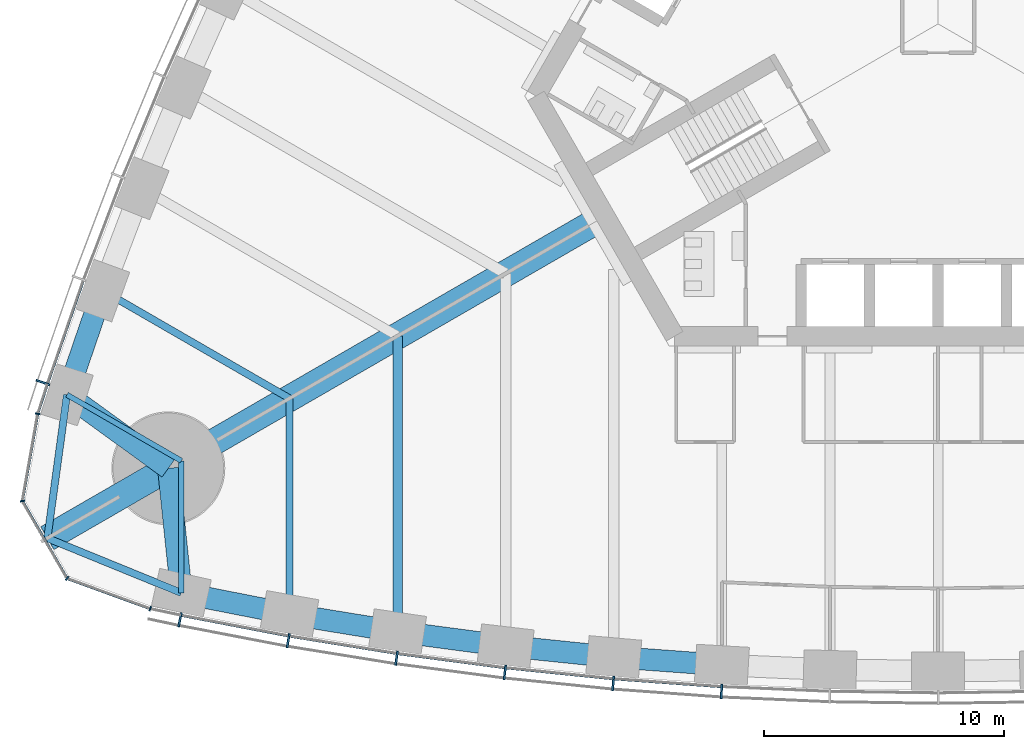
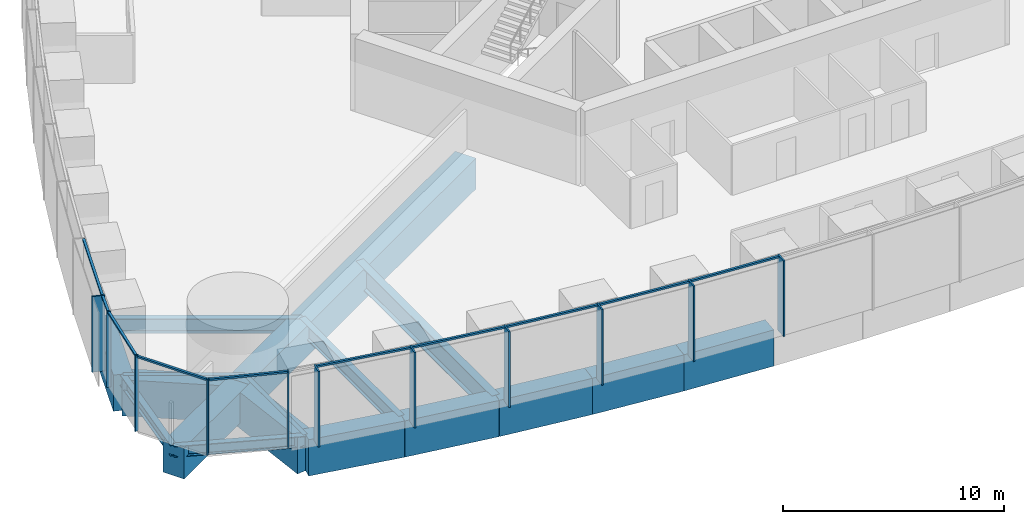
# One storey, part 2 of 18: 21 members, 17 beams, 3 elements without a shape of their own.
"""IFC4 building model written with IfcOpenShell, lengths in metres."""

from ifc_helpers import new_model, si_unit, direction, frame, origin, origin_2d, place, context, subcontext, project, spatial, rectangle, i_section, extrude, material, material_profile, profile_set, type_object, element, aggregate, save


model = new_model("IFC4")

# Units and contexts
model_context = context("Model", 3, precision=1e-05, world=origin(), true_north=direction((0.0, 1.0)))
body_context = subcontext(model_context, "Body", "Model", "MODEL_VIEW")
ifc_project = project(units=[si_unit("LENGTHUNIT", "METRE"), si_unit("AREAUNIT", "SQUARE_METRE"), si_unit("VOLUMEUNIT", "CUBIC_METRE"), si_unit("PLANEANGLEUNIT", "RADIAN"), si_unit("MASSUNIT", "GRAM", prefix="KILO")], contexts=[model_context])

# Site, building, storey
site_placement = place(None, origin())
site = spatial("IfcSite", under=ifc_project, at=site_placement, CompositionType="ELEMENT")
building_placement = place(site_placement, origin())
building = spatial("IfcBuilding", under=site, at=building_placement, Name="Trefoil Bronze Tower", CompositionType="ELEMENT")
storey_placement = place(building_placement, frame((0.0, 0.0, 71.10009765625)))
storey = spatial("IfcBuildingStorey", under=building, at=storey_placement, Name="L16", CompositionType="ELEMENT", Elevation=71.10009765625)

# Curtain wall, members
ifc_material_1 = material(Name="Tinted solar-control glass", Category="glass")
curtain_wall_type_1 = type_object("IfcCurtainWallType", Name="Bronze office curtain wall", PredefinedType="USERDEFINED", material=ifc_material_1)
curtain_wall_1_placement = place(storey_placement, origin())
curtain_wall_1 = element("IfcCurtainWall", 1, at=curtain_wall_1_placement, inside=storey, type_object=curtain_wall_type_1, Name="CW-A L16 F1", ObjectType="CURTAIN WALL", PredefinedType="USERDEFINED")
ifc_material_2 = material(Name="Bronze-finish aluminium", Category="aluminium")
ifc_material_profile_1 = material_profile(ifc_material_2, rectangle(XDim=0.60009765625, YDim=0.080078125, at=origin_2d()), Name="CW-A mullion")
ifc_profile_set_1 = profile_set([ifc_material_profile_1], Name="Bronze-finish aluminium")
member_type_1 = type_object("IfcMemberType", Name="Bronze office curtain wall mullion", PredefinedType="MULLION", material=ifc_profile_set_1)
member_1_placement = place(storey_placement, frame((-31.559326171875, -24.81005859375, 0.0), z_axis=(0.0, 0.0, 1.0), x_axis=(0.197910006829, 0.98022019424, 0.0)))
member_1 = element("IfcMember", 2, at=member_1_placement, type_object=member_type_1, Name="CW-A L16 F1 mullion 2", PredefinedType="MULLION", context=body_context, shape_type="SweptSolid", body=[
    extrude(rectangle(XDim=0.60009765625, YDim=0.080078125, at=origin_2d()), origin(), (0.0, 0.0, 1.0), 4.179931640625),
])
member_2_placement = place(storey_placement, frame((-27.05224609375, -25.67578125, 0.0), z_axis=(0.0, 0.0, 1.0), x_axis=(0.174131146426, 0.984722470468, 0.0)))
member_2 = element("IfcMember", 3, at=member_2_placement, type_object=member_type_1, Name="CW-A L16 F1 mullion 3", PredefinedType="MULLION", context=body_context, shape_type="SweptSolid", body=[
    extrude(rectangle(XDim=0.60009765625, YDim=0.080078125, at=origin_2d()), origin(), (0.0, 0.0, 1.0), 4.179931640625),
])
member_3_placement = place(storey_placement, frame((-22.54345703125, -26.40478515625, 0.0), z_axis=(0.0, 0.0, 1.0), x_axis=(0.145108990094, 0.989415676546, 0.0)))
member_3 = element("IfcMember", 4, at=member_3_placement, type_object=member_type_1, Name="CW-A L16 F1 mullion 4", PredefinedType="MULLION", context=body_context, shape_type="SweptSolid", body=[
    extrude(rectangle(XDim=0.60009765625, YDim=0.080078125, at=origin_2d()), origin(), (0.0, 0.0, 1.0), 4.179931640625),
])
member_4_placement = place(storey_placement, frame((-18.034912109375, -26.99853515625, 0.0), z_axis=(0.0, 0.0, 1.0), x_axis=(0.116086999973, 0.993239048989, 0.0)))
member_4 = element("IfcMember", 5, at=member_4_placement, type_object=member_type_1, Name="CW-A L16 F1 mullion 5", PredefinedType="MULLION", context=body_context, shape_type="SweptSolid", body=[
    extrude(rectangle(XDim=0.60009765625, YDim=0.080078125, at=origin_2d()), origin(), (0.0, 0.0, 1.0), 4.179931640625),
])
member_5_placement = place(storey_placement, frame((-13.526123046875, -27.458984375, 0.0), z_axis=(0.0, 0.0, 1.0), x_axis=(0.087065139456, 0.996202620701, 0.0)))
member_5 = element("IfcMember", 6, at=member_5_placement, type_object=member_type_1, Name="CW-A L16 F1 mullion 6", PredefinedType="MULLION", context=body_context, shape_type="SweptSolid", body=[
    extrude(rectangle(XDim=0.60009765625, YDim=0.080078125, at=origin_2d()), origin(), (0.0, 0.0, 1.0), 4.179931640625),
])
member_6_placement = place(storey_placement, frame((-9.017333984375, -27.786865234375, 0.0), z_axis=(0.0, 0.0, 1.0), x_axis=(0.058043374207, 0.998314062162, 0.0)))
member_6 = element("IfcMember", 7, at=member_6_placement, type_object=member_type_1, Name="CW-A L16 F1 mullion 7", PredefinedType="MULLION", context=body_context, shape_type="SweptSolid", body=[
    extrude(rectangle(XDim=0.60009765625, YDim=0.080078125, at=origin_2d()), origin(), (0.0, 0.0, 1.0), 4.179931640625),
])

# Curtain wall, member
curtain_wall_2_placement = place(storey_placement, origin())
curtain_wall_2 = element("IfcCurtainWall", 8, at=curtain_wall_2_placement, inside=storey, type_object=curtain_wall_type_1, Name="CW-A L16 F3", ObjectType="CURTAIN WALL", PredefinedType="USERDEFINED")
member_7_placement = place(storey_placement, frame((-37.265869140625, -14.92626953125, 0.0), z_axis=(0.0, 0.0, 1.0), x_axis=(0.947850592929, -0.318715003543, 0.0)))
member_7 = element("IfcMember", 9, at=member_7_placement, type_object=member_type_1, Name="CW-A L16 F3 mullion 16", PredefinedType="MULLION", context=body_context, shape_type="SweptSolid", body=[
    extrude(rectangle(XDim=0.60009765625, YDim=0.080078125, at=origin_2d()), origin(), (0.0, 0.0, 1.0), 4.179931640625),
])

# Member
ifc_material_3 = material(Name="Bronze-finish aluminium", Category="aluminium")
ifc_material_profile_2 = material_profile(ifc_material_3, rectangle(XDim=0.1201171875, YDim=0.10009765625, at=origin_2d()), Name="CW-A transom")
ifc_profile_set_2 = profile_set([ifc_material_profile_2], Name="Bronze-finish aluminium")
member_type_2 = type_object("IfcMemberType", Name="Bronze office curtain wall transom", PredefinedType="USERDEFINED", material=ifc_profile_set_2)
member_8_placement = place(storey_placement, frame((-31.4794921875, -24.621826171875, 4.1298828125), z_axis=(0.982053603997, -0.188602011855, 0.0), x_axis=(0.188602011855, 0.982053603997, 0.0)))
member_8 = element("IfcMember", 10, at=member_8_placement, type_object=member_type_2, Name="CW-A L16 F1 transom 2", ObjectType="TRANSOM", PredefinedType="USERDEFINED", context=body_context, shape_type="SweptSolid", body=[
    extrude(rectangle(XDim=0.1201171875, YDim=0.10009765625, at=origin_2d()), origin(), (0.0, 0.0, 1.0), 4.502197265625),
])

member_9_placement = place(storey_placement, frame((-26.9765625, -25.4853515625, 4.1298828125), z_axis=(0.987179401487, -0.159614627398, 0.0), x_axis=(0.159614627398, 0.987179401487, 0.0)))
member_9 = element("IfcMember", 11, at=member_9_placement, type_object=member_type_2, Name="CW-A L16 F1 transom 3", ObjectType="TRANSOM", PredefinedType="USERDEFINED", context=body_context, shape_type="SweptSolid", body=[
    extrude(rectangle(XDim=0.1201171875, YDim=0.10009765625, at=origin_2d()), origin(), (0.0, 0.0, 1.0), 4.478515625),
])

member_10_placement = place(storey_placement, frame((-22.473388671875, -26.212158203125, 4.1298828125), z_axis=(0.991436581643, -0.13058906761, 0.0), x_axis=(0.13058906761, 0.991436581643, 0.0)))
member_10 = element("IfcMember", 12, at=member_10_placement, type_object=member_type_2, Name="CW-A L16 F1 transom 4", ObjectType="TRANSOM", PredefinedType="USERDEFINED", context=body_context, shape_type="SweptSolid", body=[
    extrude(rectangle(XDim=0.1201171875, YDim=0.10009765625, at=origin_2d()), origin(), (0.0, 0.0, 1.0), 4.458740234375),
])

member_11_placement = place(storey_placement, frame((-17.970458984375, -26.80419921875, 4.1298828125), z_axis=(0.994831650915, -0.101538102888, 0.0), x_axis=(0.101538102888, 0.994831650915, 0.0)))
member_11 = element("IfcMember", 13, at=member_11_placement, type_object=member_type_2, Name="CW-A L16 F1 transom 5", ObjectType="TRANSOM", PredefinedType="USERDEFINED", context=body_context, shape_type="SweptSolid", body=[
    extrude(rectangle(XDim=0.1201171875, YDim=0.10009765625, at=origin_2d()), origin(), (0.0, 0.0, 1.0), 4.443359375),
])

member_12_placement = place(storey_placement, frame((-13.46728515625, -27.2626953125, 4.1298828125), z_axis=(0.997364729945, -0.07255064067, 0.0), x_axis=(0.07255064067, 0.997364729945, 0.0)))
member_12 = element("IfcMember", 14, at=member_12_placement, type_object=member_type_2, Name="CW-A L16 F1 transom 6", ObjectType="TRANSOM", PredefinedType="USERDEFINED", context=body_context, shape_type="SweptSolid", body=[
    extrude(rectangle(XDim=0.1201171875, YDim=0.10009765625, at=origin_2d()), origin(), (0.0, 0.0, 1.0), 4.431884765625),
])

aggregate(curtain_wall_1, [member_1, member_2, member_3, member_4, member_5, member_6, member_8, member_9, member_10, member_11, member_12])

member_13_placement = place(storey_placement, frame((-35.587646484375, -10.697509765625, 4.1298828125), z_axis=(-0.327689728493, -0.944785394595, 0.0), x_axis=(0.944785394595, -0.327689728493, 0.0)))
member_13 = element("IfcMember", 15, at=member_13_placement, type_object=member_type_2, Name="CW-A L16 F3 transom 15", ObjectType="TRANSOM", PredefinedType="USERDEFINED", context=body_context, shape_type="SweptSolid", body=[
    extrude(rectangle(XDim=0.1201171875, YDim=0.10009765625, at=origin_2d()), origin(), (0.0, 0.0, 1.0), 4.502197265625),
])

member_14_placement = place(storey_placement, frame((-37.089111328125, -15.02880859375, 4.1298828125), z_axis=(-0.309624219148, -0.950859002648, 0.0), x_axis=(0.950859002648, -0.309624219148, 0.0)))
member_14 = element("IfcMember", 16, at=member_14_placement, type_object=member_type_2, Name="CW-A L16 F3 transom 16", ObjectType="TRANSOM", PredefinedType="USERDEFINED", context=body_context, shape_type="SweptSolid", body=[
    extrude(rectangle(XDim=0.1201171875, YDim=0.10009765625, at=origin_2d()), origin(), (0.0, 0.0, 1.0), 1.21044921875),
])

aggregate(curtain_wall_2, [member_7, member_13, member_14])

# Curtain wall, members
ifc_material_4 = material(Name="Tinted solar-control glass", Category="glass")
curtain_wall_type_2 = type_object("IfcCurtainWallType", Name="Bronze rounded corner curtain wall", PredefinedType="USERDEFINED", material=ifc_material_4)
curtain_wall_3_placement = place(storey_placement, origin())
curtain_wall_3 = element("IfcCurtainWall", 17, at=curtain_wall_3_placement, inside=storey, type_object=curtain_wall_type_2, Name="CW-B L16 K3", ObjectType="CURTAIN WALL", PredefinedType="USERDEFINED")
ifc_material_5 = material(Name="Bronze-finish aluminium", Category="aluminium")
ifc_material_profile_3 = material_profile(ifc_material_5, rectangle(XDim=0.199951171875, YDim=0.06005859375, at=origin_2d()), Name="CW-B mullion")
ifc_profile_set_3 = profile_set([ifc_material_profile_3], Name="Bronze-finish aluminium")
member_type_3 = type_object("IfcMemberType", Name="Bronze rounded corner curtain wall mullion", PredefinedType="MULLION", material=ifc_profile_set_3)
member_15_placement = place(storey_placement, frame((-37.479736328125, -16.2314453125, 0.0), z_axis=(0.0, 0.0, 1.0), x_axis=(0.984807753012, -0.173648177667, 0.0)))
member_15 = element("IfcMember", 18, at=member_15_placement, type_object=member_type_3, Name="CW-B L16 K3 mullion 1", PredefinedType="MULLION", context=body_context, shape_type="SweptSolid", body=[
    extrude(rectangle(XDim=0.199951171875, YDim=0.06005859375, at=origin_2d()), origin(), (0.0, 0.0, 1.0), 4.179931640625),
])
member_16_placement = place(storey_placement, frame((-38.11328125, -19.85888671875, 0.0), z_axis=(0.0, 0.0, 1.0), x_axis=(0.984807753012, 0.173648177667, 0.0)))
member_16 = element("IfcMember", 19, at=member_16_placement, type_object=member_type_3, Name="CW-B L16 K3 mullion 2", PredefinedType="MULLION", context=body_context, shape_type="SweptSolid", body=[
    extrude(rectangle(XDim=0.199951171875, YDim=0.06005859375, at=origin_2d()), origin(), (0.0, 0.0, 1.0), 4.179931640625),
])
member_17_placement = place(storey_placement, frame((-36.2548828125, -23.07763671875, 0.0), z_axis=(0.0, 0.0, 1.0), x_axis=(0.642787609687, 0.766044443119, 0.0)))
member_17 = element("IfcMember", 20, at=member_17_placement, type_object=member_type_3, Name="CW-B L16 K3 mullion 3", PredefinedType="MULLION", context=body_context, shape_type="SweptSolid", body=[
    extrude(rectangle(XDim=0.199951171875, YDim=0.06005859375, at=origin_2d()), origin(), (0.0, 0.0, 1.0), 4.179931640625),
])
member_18_placement = place(storey_placement, frame((-32.796630859375, -24.3427734375, 0.0), z_axis=(0.0, 0.0, 1.0), x_axis=(0.342020143326, 0.939692620786, 0.0)))
member_18 = element("IfcMember", 21, at=member_18_placement, type_object=member_type_3, Name="CW-B L16 K3 mullion 4", PredefinedType="MULLION", context=body_context, shape_type="SweptSolid", body=[
    extrude(rectangle(XDim=0.199951171875, YDim=0.06005859375, at=origin_2d()), origin(), (0.0, 0.0, 1.0), 4.179931640625),
])
ifc_material_6 = material(Name="Bronze-finish aluminium", Category="aluminium")
ifc_material_profile_4 = material_profile(ifc_material_6, rectangle(XDim=0.1201171875, YDim=0.10009765625, at=origin_2d()), Name="CW-B transom")
ifc_profile_set_4 = profile_set([ifc_material_profile_4], Name="Bronze-finish aluminium")
member_type_4 = type_object("IfcMemberType", Name="Bronze rounded corner curtain wall transom", PredefinedType="USERDEFINED", material=ifc_profile_set_4)
member_19_placement = place(storey_placement, frame((-37.48486328125, -16.260986328125, 4.1298828125), z_axis=(-0.17363783606, -0.984809576461, 0.0), x_axis=(0.984809576461, -0.17363783606, 0.0)))
member_19 = element("IfcMember", 22, at=member_19_placement, type_object=member_type_4, Name="CW-B L16 K3 transom 1", ObjectType="TRANSOM", PredefinedType="USERDEFINED", context=body_context, shape_type="SweptSolid", body=[
    extrude(rectangle(XDim=0.1201171875, YDim=0.10009765625, at=origin_2d()), origin(), (0.0, 0.0, 1.0), 3.588134765625),
])
member_20_placement = place(storey_placement, frame((-38.08642578125, -19.91748046875, 4.1298828125), z_axis=(0.500024788772, -0.866011091507, 0.0), x_axis=(0.866011091507, 0.500024788772, 0.0)))
member_20 = element("IfcMember", 23, at=member_20_placement, type_object=member_type_4, Name="CW-B L16 K3 transom 2", ObjectType="TRANSOM", PredefinedType="USERDEFINED", context=body_context, shape_type="SweptSolid", body=[
    extrude(rectangle(XDim=0.1201171875, YDim=0.10009765625, at=origin_2d()), origin(), (0.0, 0.0, 1.0), 3.588134765625),
])
member_21_placement = place(storey_placement, frame((-36.196533203125, -23.105224609375, 4.1298828125), z_axis=(0.939688092095, -0.342032585545, 0.0), x_axis=(0.342032585545, 0.939688092095, 0.0)))
member_21 = element("IfcMember", 24, at=member_21_placement, type_object=member_type_4, Name="CW-B L16 K3 transom 3", ObjectType="TRANSOM", PredefinedType="USERDEFINED", context=body_context, shape_type="SweptSolid", body=[
    extrude(rectangle(XDim=0.1201171875, YDim=0.10009765625, at=origin_2d()), origin(), (0.0, 0.0, 1.0), 3.588134765625),
])
aggregate(curtain_wall_3, [member_15, member_16, member_17, member_18, member_19, member_20, member_21])

# Beams
ifc_material_7 = material(Name="Concrete B80", Category="concrete")
ifc_material_profile_5 = material_profile(ifc_material_7, rectangle(XDim=1.10009765625, YDim=1.699951171875, at=origin_2d()), Name="RC 1100x1700")
ifc_profile_set_5 = profile_set([ifc_material_profile_5], Name="Concrete B80")
beam_type_1 = type_object("IfcBeamType", Name="Corner cantilever RC 1100x1700", PredefinedType="BEAM", material=ifc_profile_set_5)
beam_1_placement = place(storey_placement, frame((-32.04296875, -18.5, -1.050048828125), z_axis=(-0.866030348588, -0.499991435252, 0.0), x_axis=(0.499991435252, -0.866030348588, 0.0)))
element("IfcBeam", 25, at=beam_1_placement, inside=storey, type_object=beam_type_1, Name="Corner cantilever K3 L16", PredefinedType="BEAM", context=body_context, shape_type="SweptSolid", body=[
    extrude(rectangle(XDim=1.10009765625, YDim=1.699951171875, at=origin_2d()), origin(), (0.0, 0.0, 1.0), 5.81396484375),
])
ifc_material_8 = material(Name="Steel C355", Category="steel")
ifc_material_profile_6 = material_profile(ifc_material_8, i_section(OverallWidth=0.300048828125, OverallDepth=0.60009765625, WebThickness=0.015380859375, FlangeThickness=0.030029296875, FilletRadius=0.027099609375, at=origin_2d()), Name="HEB 600")
ifc_profile_set_6 = profile_set([ifc_material_profile_6], Name="Steel C355")
beam_type_2 = type_object("IfcBeamType", Name="Corner edge beam HEB 600", PredefinedType="BEAM", material=ifc_profile_set_6)
beam_2_placement = place(storey_placement, frame((-31.5, -23.684814453125, -0.5), z_axis=(-0.925786874353, 0.378045848114, 0.0), x_axis=(-0.378045848114, -0.925786874353, 0.0)))
element("IfcBeam", 26, at=beam_2_placement, inside=storey, type_object=beam_type_2, Name="Corner edge beam F1B L16", PredefinedType="BEAM", context=body_context, shape_type="SweptSolid", body=[
    extrude(i_section(OverallWidth=0.300048828125, OverallDepth=0.60009765625, WebThickness=0.015380859375, FlangeThickness=0.030029296875, FilletRadius=0.027099609375, at=origin_2d()), origin(), (0.0, 0.0, 1.0), 6.025390625),
])
beam_3_placement = place(storey_placement, frame((-36.26171875, -15.4375, -0.5), z_axis=(-0.13550196505, -0.990777077585, 0.0), x_axis=(0.990777077585, -0.13550196505, 0.0)))
element("IfcBeam", 27, at=beam_3_placement, inside=storey, type_object=beam_type_2, Name="Corner edge beam F3A L16", PredefinedType="BEAM", context=body_context, shape_type="SweptSolid", body=[
    extrude(i_section(OverallWidth=0.300048828125, OverallDepth=0.60009765625, WebThickness=0.015380859375, FlangeThickness=0.030029296875, FilletRadius=0.027099609375, at=origin_2d()), origin(), (0.0, 0.0, 1.0), 6.025146484375),
])
ifc_material_9 = material(Name="Concrete B80", Category="concrete")
ifc_material_profile_7 = material_profile(ifc_material_9, rectangle(XDim=1.10009765625, YDim=1.699951171875, at=origin_2d()), Name="RC 1100x1700")
ifc_profile_set_7 = profile_set([ifc_material_profile_7], Name="Concrete B80")
beam_type_3 = type_object("IfcBeamType", Name="Corner girder RC 1100x1700", PredefinedType="BEAM", material=ifc_profile_set_7)
beam_4_placement = place(storey_placement, frame((-14.202880859375, -8.199951171875, -1.050048828125), z_axis=(-0.866023947468, -0.500002522405, 0.0), x_axis=(0.500002522405, -0.866023947468, 0.0)))
element("IfcBeam", 28, at=beam_4_placement, inside=storey, type_object=beam_type_3, Name="Corner girder K3 L16", PredefinedType="BEAM", context=body_context, shape_type="SweptSolid", body=[
    extrude(rectangle(XDim=1.10009765625, YDim=1.699951171875, at=origin_2d()), origin(), (0.0, 0.0, 1.0), 20.60009765625),
])
ifc_material_10 = material(Name="Concrete B80", Category="concrete")
ifc_material_profile_8 = material_profile(ifc_material_10, rectangle(XDim=0.89990234375, YDim=2.0, at=origin_2d()), Name="RC 900x2000")
ifc_profile_set_8 = profile_set([ifc_material_profile_8], Name="Concrete B80")
beam_type_4 = type_object("IfcBeamType", Name="End spandrel beam RC 900x2000", PredefinedType="SPANDREL", material=ifc_profile_set_8)
for number, where, z_axis, x_axis, name in (
    (29, (-32.04296875, -18.5, -1.2001953125), (0.104153327908, -0.994561252154, 0.0), (0.994561252154, 0.104153327908, 0.0), "Spandrel F1.1 L16"),
    (30, (-36.26171875, -15.4375, -1.2001953125), (0.809254211267, -0.587458612624, 0.0), (0.587458612624, 0.809254211267, 0.0), "Spandrel F3.16 L16"),
):
    element("IfcBeam", number, at=place(storey_placement, frame(where, z_axis=z_axis, x_axis=x_axis)), inside=storey, type_object=beam_type_4, Name=name, PredefinedType="SPANDREL", context=body_context, shape_type="SweptSolid", body=[
        extrude(rectangle(XDim=0.89990234375, YDim=2.0, at=origin_2d()), origin(), (0.0, 0.0, 1.0), 5.213134765625),
    ])
ifc_material_11 = material(Name="Steel C355", Category="steel")
ifc_material_profile_9 = material_profile(ifc_material_11, i_section(OverallWidth=0.300048828125, OverallDepth=0.800048828125, WebThickness=0.017578125, FlangeThickness=0.032958984375, FilletRadius=0.030029296875, at=origin_2d()), Name="HEB 800")
ifc_profile_set_9 = profile_set([ifc_material_profile_9], Name="Steel C355")
beam_type_5 = type_object("IfcBeamType", Name="Floor beam HEB 800", PredefinedType="BEAM", material=ifc_profile_set_9)
for number, where, z_axis, x_axis, name in (
    (31, (-27.0, -24.56787109375, -0.60009765625), (0.0, 1.0, 0.0), (-1.0, 0.0, 0.0), "Floor beam F1/-6 L16"),
    (32, (-34.7763671875, -11.0986328125, -0.60009765625), (0.866022587327, -0.500004878216, 0.0), (0.500004878216, 0.866022587327, 0.0), "Floor beam F3/+6 L16"),
):
    element("IfcBeam", number, at=place(storey_placement, frame(where, z_axis=z_axis, x_axis=x_axis)), inside=storey, type_object=beam_type_5, Name=name, PredefinedType="BEAM", context=body_context, shape_type="SweptSolid", body=[
        extrude(i_section(OverallWidth=0.300048828125, OverallDepth=0.800048828125, WebThickness=0.017578125, FlangeThickness=0.032958984375, FilletRadius=0.030029296875, at=origin_2d()), origin(), (0.0, 0.0, 1.0), 8.9794921875),
    ])
ifc_material_12 = material(Name="Steel C355", Category="steel")
ifc_material_profile_10 = material_profile(ifc_material_12, i_section(OverallWidth=0.219970703125, OverallDepth=0.60009765625, WebThickness=0.011962890625, FlangeThickness=0.01904296875, FilletRadius=0.02392578125, at=origin_2d()), Name="IPE 600")
ifc_profile_set_10 = profile_set([ifc_material_profile_10], Name="Steel C355")
beam_type_6 = type_object("IfcBeamType", Name="Floor beam IPE 600", PredefinedType="BEAM", material=ifc_profile_set_10)
for number, where, z_axis, x_axis, name in (
    (33, (-31.5, -23.684814453125, -0.5), (0.0, 1.0, 0.0), (-1.0, 0.0, 0.0), "Floor beam F1/-7 L16"),
    (34, (-36.26171875, -15.4375, -0.5), (0.866037702141, -0.499978698016, 0.0), (0.499978698016, 0.866037702141, 0.0), "Floor beam F3/+7 L16"),
):
    element("IfcBeam", number, at=place(storey_placement, frame(where, z_axis=z_axis, x_axis=x_axis)), inside=storey, type_object=beam_type_6, Name=name, PredefinedType="BEAM", context=body_context, shape_type="SweptSolid", body=[
        extrude(i_section(OverallWidth=0.219970703125, OverallDepth=0.60009765625, WebThickness=0.011962890625, FlangeThickness=0.01904296875, FilletRadius=0.02392578125, at=origin_2d()), origin(), (0.0, 0.0, 1.0), 5.498291015625),
    ])
ifc_material_13 = material(Name="Steel C355", Category="steel")
ifc_material_profile_11 = material_profile(ifc_material_13, i_section(OverallWidth=0.39990234375, OverallDepth=1.199951171875, WebThickness=0.02001953125, FlangeThickness=0.0400390625, FilletRadius=0.010009765625, at=origin_2d()), Name="WPG 1200")
ifc_profile_set_11 = profile_set([ifc_material_profile_11], Name="Steel C355")
beam_type_7 = type_object("IfcBeamType", Name="Floor beam WPG 1200", PredefinedType="BEAM", material=ifc_profile_set_11)
beam_5_placement = place(storey_placement, frame((-22.5, -25.29931640625, -0.800048828125), z_axis=(0.0, 1.0, 0.0), x_axis=(-1.0, 0.0, 0.0)))
element("IfcBeam", 35, at=beam_5_placement, inside=storey, type_object=beam_type_7, Name="Floor beam F1/-5 L16", PredefinedType="BEAM", context=body_context, shape_type="SweptSolid", body=[
    extrude(i_section(OverallWidth=0.39990234375, OverallDepth=1.199951171875, WebThickness=0.02001953125, FlangeThickness=0.0400390625, FilletRadius=0.010009765625, at=origin_2d()), origin(), (0.0, 0.0, 1.0), 12.308837890625),
])
ifc_material_14 = material(Name="Concrete B80", Category="concrete")
ifc_material_profile_12 = material_profile(ifc_material_14, rectangle(XDim=0.89990234375, YDim=2.0, at=origin_2d()), Name="RC 900x2000")
ifc_profile_set_12 = profile_set([ifc_material_profile_12], Name="Concrete B80")
beam_type_8 = type_object("IfcBeamType", Name="Spandrel beam RC 900x2000", PredefinedType="SPANDREL", material=ifc_profile_set_12)
beam_6_placement = place(storey_placement, frame((-31.5, -23.684814453125, -1.2001953125), z_axis=(0.981284764092, -0.192562228283, 0.0), x_axis=(0.192562228283, 0.981284764092, 0.0)))
element("IfcBeam", 36, at=beam_6_placement, inside=storey, type_object=beam_type_8, Name="Spandrel F1.2 L16", PredefinedType="SPANDREL", context=body_context, shape_type="SweptSolid", body=[
    extrude(rectangle(XDim=0.89990234375, YDim=2.0, at=origin_2d()), origin(), (0.0, 0.0, 1.0), 4.5859375),
])
beam_7_placement = place(storey_placement, frame((-27.0, -24.56787109375, -1.2001953125), z_axis=(0.987045951254, -0.160437807615, 0.0), x_axis=(0.160437807615, 0.987045951254, 0.0)))
element("IfcBeam", 37, at=beam_7_placement, inside=storey, type_object=beam_type_8, Name="Spandrel F1.3 L16", PredefinedType="SPANDREL", context=body_context, shape_type="SweptSolid", body=[
    extrude(rectangle(XDim=0.89990234375, YDim=2.0, at=origin_2d()), origin(), (0.0, 0.0, 1.0), 4.55908203125),
])
beam_8_placement = place(storey_placement, frame((-22.5, -25.29931640625, -1.2001953125), z_axis=(0.991344474846, -0.131286450906, 0.0), x_axis=(0.131286450906, 0.991344474846, 0.0)))
element("IfcBeam", 38, at=beam_8_placement, inside=storey, type_object=beam_type_8, Name="Spandrel F1.4 L16", PredefinedType="SPANDREL", context=body_context, shape_type="SweptSolid", body=[
    extrude(rectangle(XDim=0.89990234375, YDim=2.0, at=origin_2d()), origin(), (0.0, 0.0, 1.0), 4.539306640625),
])
beam_9_placement = place(storey_placement, frame((-18.0, -25.895263671875, -1.2001953125), z_axis=(0.994778488621, -0.102057623805, 0.0), x_axis=(0.102057623805, 0.994778488621, 0.0)))
element("IfcBeam", 39, at=beam_9_placement, inside=storey, type_object=beam_type_8, Name="Spandrel F1.5 L16", PredefinedType="SPANDREL", context=body_context, shape_type="SweptSolid", body=[
    extrude(rectangle(XDim=0.89990234375, YDim=2.0, at=origin_2d()), origin(), (0.0, 0.0, 1.0), 4.523681640625),
])
beam_10_placement = place(storey_placement, frame((-13.5, -26.35693359375, -1.2001953125), z_axis=(0.997336412354, -0.072938882588, 0.0), x_axis=(0.072938882588, 0.997336412354, 0.0)))
element("IfcBeam", 40, at=beam_10_placement, inside=storey, type_object=beam_type_8, Name="Spandrel F1.6 L16", PredefinedType="SPANDREL", context=body_context, shape_type="SweptSolid", body=[
    extrude(rectangle(XDim=0.89990234375, YDim=2.0, at=origin_2d()), origin(), (0.0, 0.0, 1.0), 4.511962890625),
])
beam_11_placement = place(storey_placement, frame((-34.7763671875, -11.0986328125, -1.2001953125), z_axis=(-0.323883319148, -0.946097032855, 0.0), x_axis=(0.946097032855, -0.323883319148, 0.0)))
element("IfcBeam", 41, at=beam_11_placement, inside=storey, type_object=beam_type_8, Name="Spandrel F3.15 L16", PredefinedType="SPANDREL", context=body_context, shape_type="SweptSolid", body=[
    extrude(rectangle(XDim=0.89990234375, YDim=2.0, at=origin_2d()), origin(), (0.0, 0.0, 1.0), 4.586181640625),
])

save(model, "model.ifc")
